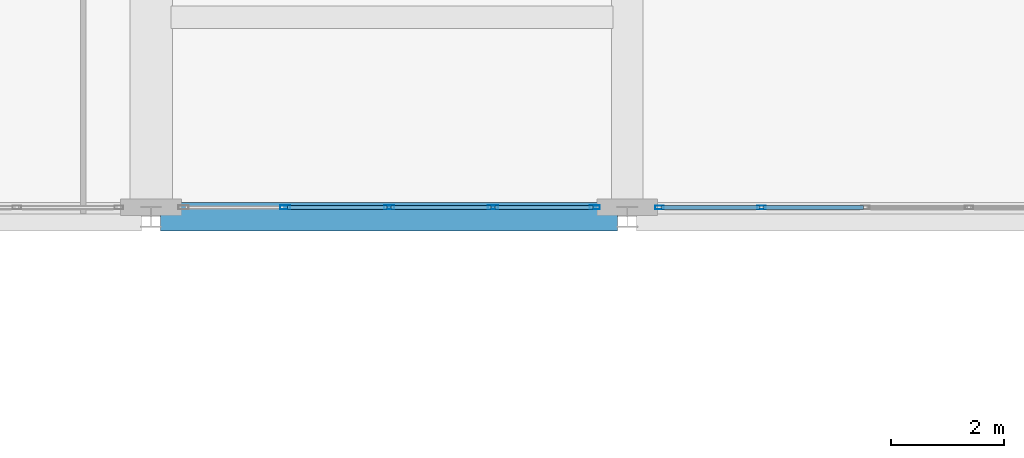
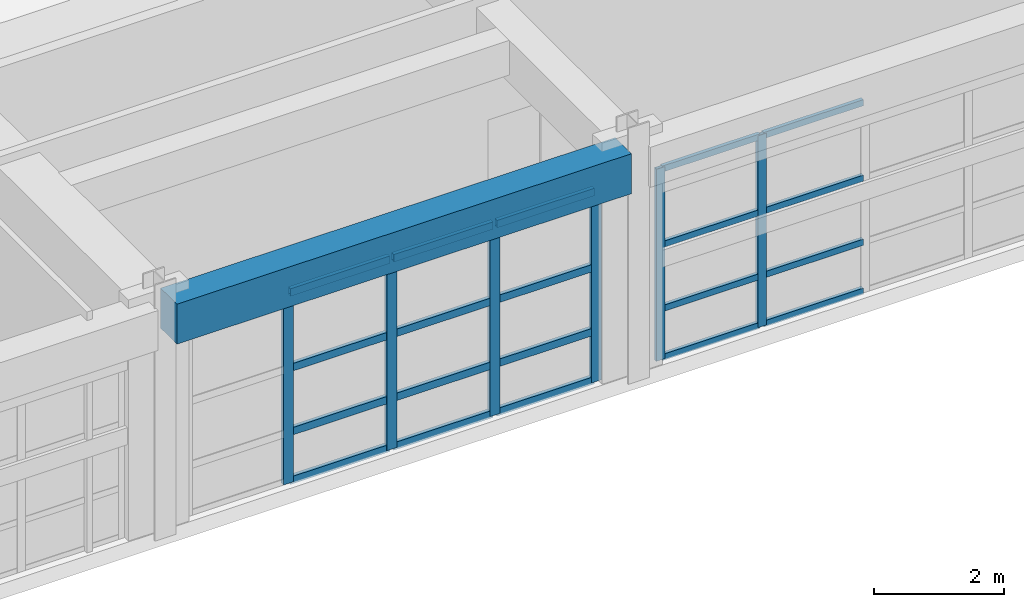
# One storey, part 74 of 123: 26 members, 1 beam, 2 elements without a shape of their own.
"""IFC4 building model written with IfcOpenShell, lengths in metres."""

from ifc_helpers import new_model, si_unit, direction, frame, origin, origin_2d, place, context, subcontext, project, spatial, rectangle, hollow_rectangle, extrude, material, layer, layer_set, material_profile, profile_set, type_object, element, aggregate, save


model = new_model("IFC4")

# Units and contexts
model_context = context("Model", 3, precision=1e-05, world=origin(), true_north=direction((0.0, 1.0)))
body_context = subcontext(model_context, "Body", "Model", "MODEL_VIEW")
ifc_project = project(units=[si_unit("LENGTHUNIT", "METRE"), si_unit("AREAUNIT", "SQUARE_METRE"), si_unit("VOLUMEUNIT", "CUBIC_METRE"), si_unit("PLANEANGLEUNIT", "RADIAN"), si_unit("MASSUNIT", "GRAM", prefix="KILO")], contexts=[model_context])

# Site, building, storey
site_placement = place(None, origin())
site = spatial("IfcSite", under=ifc_project, at=site_placement, CompositionType="ELEMENT")
building_placement = place(site_placement, origin())
building = spatial("IfcBuilding", under=site, at=building_placement, Name="Quendrovan Civic Courthouse", CompositionType="ELEMENT")
storey_placement = place(building_placement, frame((0.0, 0.0, 5.39990234375)))
storey = spatial("IfcBuildingStorey", under=building, at=storey_placement, Name="L02", CompositionType="ELEMENT", Elevation=5.39990234375)

# Beam
ifc_material_1 = material(Name="Concrete C40/50", Category="concrete")
ifc_material_profile_1 = material_profile(ifc_material_1, rectangle(XDim=0.5, YDim=0.75, at=origin_2d()), Name="RC-BM-500x750")
ifc_profile_set_1 = profile_set([ifc_material_profile_1], Name="Concrete C40/50")
beam_type = type_object("IfcBeamType", Name="BM-RC750", PredefinedType="SPANDREL", material=ifc_profile_set_1)
beam_placement = place(storey_placement, frame((126.1669921875, 87.60009765625, 3.985107421875), z_axis=(1.0, 0.0, 0.0), x_axis=(0.0, 1.0, 0.0)))
element("IfcBeam", 1, at=beam_placement, inside=storey, type_object=beam_type, Name="L02 Girder X0562", PredefinedType="SPANDREL", context=body_context, shape_type="SweptSolid", body=[
    extrude(rectangle(XDim=0.5, YDim=0.75, at=origin_2d()), origin(), (0.0, 0.0, 1.0), 8.06591796875),
])

# Curtain wall, members
ifc_material_2 = material(Name="Bronze anodised aluminium and low-E glass", Category="aluminium")
ifc_layer = layer(ifc_material_2, 0.179931640625, Name="Bronze anodised aluminium and low-E glass")
ifc_layer_set = layer_set([ifc_layer], Name="Bronze anodised aluminium and low-E glass")
curtain_wall_type = type_object("IfcCurtainWallType", Name="CW-U73x36", PredefinedType="USERDEFINED", material=ifc_layer_set)
curtain_wall_1_placement = place(storey_placement, origin())
curtain_wall_1 = element("IfcCurtainWall", 2, at=curtain_wall_1_placement, inside=storey, type_object=curtain_wall_type, Name="L02 Unitised Hurricane Curtain Wall CW-102", ObjectType="UNITISED CURTAIN WALL", PredefinedType="USERDEFINED")
ifc_material_3 = material(Name="Bronze anodised aluminium", Category="aluminium")
ifc_material_profile_2 = material_profile(ifc_material_3, hollow_rectangle(XDim=0.070068359375, YDim=0.179931640625, WallThickness=0.00390625, at=origin_2d()), Name="CW-MULL-70x180")
ifc_profile_set_2 = profile_set([ifc_material_profile_2], Name="Bronze anodised aluminium")
member_type_1 = type_object("IfcMemberType", Name="CW-MULL-A", PredefinedType="MULLION", material=ifc_profile_set_2)
member_1_placement = place(storey_placement, frame((133.827880859375, 87.764892578125, 0.0), z_axis=(0.0, 0.0, 1.0), x_axis=(0.0, -1.0, 0.0)))
member_1 = element("IfcMember", 3, at=member_1_placement, type_object=member_type_1, Name="CW-102 mullion 1", PredefinedType="MULLION", context=body_context, shape_type="SweptSolid", body=[
    extrude(hollow_rectangle(XDim=0.070068359375, YDim=0.179931640625, WallThickness=0.00390625, at=origin_2d()), origin(), (0.0, 0.0, 1.0), 3.60009765625),
])
member_2_placement = place(storey_placement, frame((132.031494140625, 87.764892578125, 0.0), z_axis=(0.0, 0.0, 1.0), x_axis=(0.0, -1.0, 0.0)))
member_2 = element("IfcMember", 4, at=member_2_placement, type_object=member_type_1, Name="CW-102 mullion 2", PredefinedType="MULLION", context=body_context, shape_type="SweptSolid", body=[
    extrude(hollow_rectangle(XDim=0.070068359375, YDim=0.179931640625, WallThickness=0.00390625, at=origin_2d()), origin(), (0.0, 0.0, 1.0), 3.60009765625),
])
member_3_placement = place(storey_placement, frame((130.199951171875, 87.764892578125, 0.0), z_axis=(0.0, 0.0, 1.0), x_axis=(0.0, -1.0, 0.0)))
member_3 = element("IfcMember", 5, at=member_3_placement, type_object=member_type_1, Name="CW-102 mullion 3", PredefinedType="MULLION", context=body_context, shape_type="SweptSolid", body=[
    extrude(hollow_rectangle(XDim=0.070068359375, YDim=0.179931640625, WallThickness=0.00390625, at=origin_2d()), origin(), (0.0, 0.0, 1.0), 3.60009765625),
])
member_4_placement = place(storey_placement, frame((128.368408203125, 87.764892578125, 0.0), z_axis=(0.0, 0.0, 1.0), x_axis=(0.0, -1.0, 0.0)))
member_4 = element("IfcMember", 6, at=member_4_placement, type_object=member_type_1, Name="CW-102 mullion 4", PredefinedType="MULLION", context=body_context, shape_type="SweptSolid", body=[
    extrude(hollow_rectangle(XDim=0.070068359375, YDim=0.179931640625, WallThickness=0.00390625, at=origin_2d()), origin(), (0.0, 0.0, 1.0), 3.60009765625),
])

curtain_wall_2_placement = place(storey_placement, origin())
curtain_wall_2 = element("IfcCurtainWall", 7, at=curtain_wall_2_placement, inside=storey, type_object=curtain_wall_type, Name="L02 Unitised Hurricane Curtain Wall CW-101", ObjectType="UNITISED CURTAIN WALL", PredefinedType="USERDEFINED")
ifc_material_profile_3 = material_profile(ifc_material_3, hollow_rectangle(XDim=0.06494140625, YDim=0.14990234375, WallThickness=0.00390625, at=origin_2d()), Name="CW-MULL-65x150")
ifc_profile_set_3 = profile_set([ifc_material_profile_3], Name="Bronze anodised aluminium")
member_type_2 = type_object("IfcMemberType", Name="CW-MULL-B", PredefinedType="MULLION", material=ifc_profile_set_3)
member_5_placement = place(storey_placement, frame((136.7685546875, 87.764892578125, 0.0), z_axis=(0.0, 0.0, 1.0), x_axis=(0.0, -1.0, 0.0)))
member_5 = element("IfcMember", 8, at=member_5_placement, type_object=member_type_2, Name="CW-101 mullion 4", PredefinedType="MULLION", context=body_context, shape_type="SweptSolid", body=[
    extrude(hollow_rectangle(XDim=0.06494140625, YDim=0.14990234375, WallThickness=0.00390625, at=origin_2d()), origin(), (0.0, 0.0, 1.0), 3.60009765625),
])
member_6_placement = place(storey_placement, frame((134.969482421875, 87.764892578125, 0.0), z_axis=(0.0, 0.0, 1.0), x_axis=(0.0, -1.0, 0.0)))
member_6 = element("IfcMember", 9, at=member_6_placement, type_object=member_type_2, Name="CW-101 mullion 5", PredefinedType="MULLION", context=body_context, shape_type="SweptSolid", body=[
    extrude(hollow_rectangle(XDim=0.06494140625, YDim=0.14990234375, WallThickness=0.00390625, at=origin_2d()), origin(), (0.0, 0.0, 1.0), 3.60009765625),
])

# Member
ifc_material_profile_4 = material_profile(ifc_material_3, hollow_rectangle(XDim=0.070068359375, YDim=0.139892578125, WallThickness=0.00390625, at=origin_2d()), Name="CW-TRAN-70x140")
ifc_profile_set_4 = profile_set([ifc_material_profile_4], Name="Bronze anodised aluminium")
member_type_3 = type_object("IfcMemberType", Name="CW-TRAN-A", PredefinedType="USERDEFINED", material=ifc_profile_set_4)
member_7_placement = place(storey_placement, frame((133.79296875, 87.764892578125, 0.03515625), z_axis=(-1.0, 0.0, 0.0), x_axis=(0.0, -1.0, 0.0)))
member_7 = element("IfcMember", 10, at=member_7_placement, type_object=member_type_3, Name="CW-102 transom 1.1", ObjectType="TRANSOM", PredefinedType="USERDEFINED", context=body_context, shape_type="SweptSolid", body=[
    extrude(hollow_rectangle(XDim=0.070068359375, YDim=0.139892578125, WallThickness=0.00390625, at=origin_2d()), origin(), (0.0, 0.0, 1.0), 1.7265625),
])

member_8_placement = place(storey_placement, frame((133.79296875, 87.764892578125, 0.9501953125), z_axis=(-1.0, 0.0, 0.0), x_axis=(0.0, -1.0, 0.0)))
member_8 = element("IfcMember", 11, at=member_8_placement, type_object=member_type_3, Name="CW-102 transom 1.2", ObjectType="TRANSOM", PredefinedType="USERDEFINED", context=body_context, shape_type="SweptSolid", body=[
    extrude(hollow_rectangle(XDim=0.070068359375, YDim=0.139892578125, WallThickness=0.00390625, at=origin_2d()), origin(), (0.0, 0.0, 1.0), 1.7265625),
])

member_9_placement = place(storey_placement, frame((133.79296875, 87.764892578125, 2.150146484375), z_axis=(-1.0, 0.0, 0.0), x_axis=(0.0, -1.0, 0.0)))
member_9 = element("IfcMember", 12, at=member_9_placement, type_object=member_type_3, Name="CW-102 transom 1.3", ObjectType="TRANSOM", PredefinedType="USERDEFINED", context=body_context, shape_type="SweptSolid", body=[
    extrude(hollow_rectangle(XDim=0.070068359375, YDim=0.139892578125, WallThickness=0.00390625, at=origin_2d()), origin(), (0.0, 0.0, 1.0), 1.7265625),
])

member_10_placement = place(storey_placement, frame((133.79296875, 87.764892578125, 3.565185546875), z_axis=(-1.0, 0.0, 0.0), x_axis=(0.0, -1.0, 0.0)))
member_10 = element("IfcMember", 13, at=member_10_placement, type_object=member_type_3, Name="CW-102 transom 1.4", ObjectType="TRANSOM", PredefinedType="USERDEFINED", context=body_context, shape_type="SweptSolid", body=[
    extrude(hollow_rectangle(XDim=0.070068359375, YDim=0.139892578125, WallThickness=0.00390625, at=origin_2d()), origin(), (0.0, 0.0, 1.0), 1.7265625),
])

member_11_placement = place(storey_placement, frame((131.99658203125, 87.764892578125, 0.03515625), z_axis=(-1.0, 0.0, 0.0), x_axis=(0.0, -1.0, 0.0)))
member_11 = element("IfcMember", 14, at=member_11_placement, type_object=member_type_3, Name="CW-102 transom 2.1", ObjectType="TRANSOM", PredefinedType="USERDEFINED", context=body_context, shape_type="SweptSolid", body=[
    extrude(hollow_rectangle(XDim=0.070068359375, YDim=0.139892578125, WallThickness=0.00390625, at=origin_2d()), origin(), (0.0, 0.0, 1.0), 1.761474609375),
])

member_12_placement = place(storey_placement, frame((131.99658203125, 87.764892578125, 0.9501953125), z_axis=(-1.0, 0.0, 0.0), x_axis=(0.0, -1.0, 0.0)))
member_12 = element("IfcMember", 15, at=member_12_placement, type_object=member_type_3, Name="CW-102 transom 2.2", ObjectType="TRANSOM", PredefinedType="USERDEFINED", context=body_context, shape_type="SweptSolid", body=[
    extrude(hollow_rectangle(XDim=0.070068359375, YDim=0.139892578125, WallThickness=0.00390625, at=origin_2d()), origin(), (0.0, 0.0, 1.0), 1.761474609375),
])

member_13_placement = place(storey_placement, frame((131.99658203125, 87.764892578125, 2.150146484375), z_axis=(-1.0, 0.0, 0.0), x_axis=(0.0, -1.0, 0.0)))
member_13 = element("IfcMember", 16, at=member_13_placement, type_object=member_type_3, Name="CW-102 transom 2.3", ObjectType="TRANSOM", PredefinedType="USERDEFINED", context=body_context, shape_type="SweptSolid", body=[
    extrude(hollow_rectangle(XDim=0.070068359375, YDim=0.139892578125, WallThickness=0.00390625, at=origin_2d()), origin(), (0.0, 0.0, 1.0), 1.761474609375),
])

member_14_placement = place(storey_placement, frame((131.99658203125, 87.764892578125, 3.565185546875), z_axis=(-1.0, 0.0, 0.0), x_axis=(0.0, -1.0, 0.0)))
member_14 = element("IfcMember", 17, at=member_14_placement, type_object=member_type_3, Name="CW-102 transom 2.4", ObjectType="TRANSOM", PredefinedType="USERDEFINED", context=body_context, shape_type="SweptSolid", body=[
    extrude(hollow_rectangle(XDim=0.070068359375, YDim=0.139892578125, WallThickness=0.00390625, at=origin_2d()), origin(), (0.0, 0.0, 1.0), 1.761474609375),
])

member_15_placement = place(storey_placement, frame((130.1650390625, 87.764892578125, 0.03515625), z_axis=(-1.0, 0.0, 0.0), x_axis=(0.0, -1.0, 0.0)))
member_15 = element("IfcMember", 18, at=member_15_placement, type_object=member_type_3, Name="CW-102 transom 3.1", ObjectType="TRANSOM", PredefinedType="USERDEFINED", context=body_context, shape_type="SweptSolid", body=[
    extrude(hollow_rectangle(XDim=0.070068359375, YDim=0.139892578125, WallThickness=0.00390625, at=origin_2d()), origin(), (0.0, 0.0, 1.0), 1.761474609375),
])

member_16_placement = place(storey_placement, frame((130.1650390625, 87.764892578125, 0.9501953125), z_axis=(-1.0, 0.0, 0.0), x_axis=(0.0, -1.0, 0.0)))
member_16 = element("IfcMember", 19, at=member_16_placement, type_object=member_type_3, Name="CW-102 transom 3.2", ObjectType="TRANSOM", PredefinedType="USERDEFINED", context=body_context, shape_type="SweptSolid", body=[
    extrude(hollow_rectangle(XDim=0.070068359375, YDim=0.139892578125, WallThickness=0.00390625, at=origin_2d()), origin(), (0.0, 0.0, 1.0), 1.761474609375),
])

member_17_placement = place(storey_placement, frame((130.1650390625, 87.764892578125, 2.150146484375), z_axis=(-1.0, 0.0, 0.0), x_axis=(0.0, -1.0, 0.0)))
member_17 = element("IfcMember", 20, at=member_17_placement, type_object=member_type_3, Name="CW-102 transom 3.3", ObjectType="TRANSOM", PredefinedType="USERDEFINED", context=body_context, shape_type="SweptSolid", body=[
    extrude(hollow_rectangle(XDim=0.070068359375, YDim=0.139892578125, WallThickness=0.00390625, at=origin_2d()), origin(), (0.0, 0.0, 1.0), 1.761474609375),
])

member_18_placement = place(storey_placement, frame((130.1650390625, 87.764892578125, 3.565185546875), z_axis=(-1.0, 0.0, 0.0), x_axis=(0.0, -1.0, 0.0)))
member_18 = element("IfcMember", 21, at=member_18_placement, type_object=member_type_3, Name="CW-102 transom 3.4", ObjectType="TRANSOM", PredefinedType="USERDEFINED", context=body_context, shape_type="SweptSolid", body=[
    extrude(hollow_rectangle(XDim=0.070068359375, YDim=0.139892578125, WallThickness=0.00390625, at=origin_2d()), origin(), (0.0, 0.0, 1.0), 1.761474609375),
])

aggregate(curtain_wall_1, [member_1, member_2, member_3, member_4, member_7, member_8, member_9, member_10, member_11, member_12, member_13, member_14, member_15, member_16, member_17, member_18])

ifc_material_profile_5 = material_profile(ifc_material_3, hollow_rectangle(XDim=0.06494140625, YDim=0.114990234375, WallThickness=0.00390625, at=origin_2d()), Name="CW-TRAN-65x115")
ifc_profile_set_5 = profile_set([ifc_material_profile_5], Name="Bronze anodised aluminium")
member_type_4 = type_object("IfcMemberType", Name="CW-TRAN-B", PredefinedType="USERDEFINED", material=ifc_profile_set_5)
member_19_placement = place(storey_placement, frame((138.5673828125, 87.764892578125, 0.03271484375), z_axis=(-1.0, 0.0, 0.0), x_axis=(0.0, -1.0, 0.0)))
member_19 = element("IfcMember", 22, at=member_19_placement, type_object=member_type_4, Name="CW-101 transom 3.1", ObjectType="TRANSOM", PredefinedType="USERDEFINED", context=body_context, shape_type="SweptSolid", body=[
    extrude(hollow_rectangle(XDim=0.06494140625, YDim=0.114990234375, WallThickness=0.00390625, at=origin_2d()), origin(), (0.0, 0.0, 1.0), 1.766357421875),
])

member_20_placement = place(storey_placement, frame((138.5673828125, 87.764892578125, 0.9501953125), z_axis=(-1.0, 0.0, 0.0), x_axis=(0.0, -1.0, 0.0)))
member_20 = element("IfcMember", 23, at=member_20_placement, type_object=member_type_4, Name="CW-101 transom 3.2", ObjectType="TRANSOM", PredefinedType="USERDEFINED", context=body_context, shape_type="SweptSolid", body=[
    extrude(hollow_rectangle(XDim=0.06494140625, YDim=0.114990234375, WallThickness=0.00390625, at=origin_2d()), origin(), (0.0, 0.0, 1.0), 1.766357421875),
])

member_21_placement = place(storey_placement, frame((138.5673828125, 87.764892578125, 2.150146484375), z_axis=(-1.0, 0.0, 0.0), x_axis=(0.0, -1.0, 0.0)))
member_21 = element("IfcMember", 24, at=member_21_placement, type_object=member_type_4, Name="CW-101 transom 3.3", ObjectType="TRANSOM", PredefinedType="USERDEFINED", context=body_context, shape_type="SweptSolid", body=[
    extrude(hollow_rectangle(XDim=0.06494140625, YDim=0.114990234375, WallThickness=0.00390625, at=origin_2d()), origin(), (0.0, 0.0, 1.0), 1.766357421875),
])

member_22_placement = place(storey_placement, frame((138.5673828125, 87.764892578125, 3.567626953125), z_axis=(-1.0, 0.0, 0.0), x_axis=(0.0, -1.0, 0.0)))
member_22 = element("IfcMember", 25, at=member_22_placement, type_object=member_type_4, Name="CW-101 transom 3.4", ObjectType="TRANSOM", PredefinedType="USERDEFINED", context=body_context, shape_type="SweptSolid", body=[
    extrude(hollow_rectangle(XDim=0.06494140625, YDim=0.114990234375, WallThickness=0.00390625, at=origin_2d()), origin(), (0.0, 0.0, 1.0), 1.766357421875),
])

member_23_placement = place(storey_placement, frame((136.736083984375, 87.764892578125, 0.03271484375), z_axis=(-1.0, 0.0, 0.0), x_axis=(0.0, -1.0, 0.0)))
member_23 = element("IfcMember", 26, at=member_23_placement, type_object=member_type_4, Name="CW-101 transom 4.1", ObjectType="TRANSOM", PredefinedType="USERDEFINED", context=body_context, shape_type="SweptSolid", body=[
    extrude(hollow_rectangle(XDim=0.06494140625, YDim=0.114990234375, WallThickness=0.00390625, at=origin_2d()), origin(), (0.0, 0.0, 1.0), 1.734130859375),
])

member_24_placement = place(storey_placement, frame((136.736083984375, 87.764892578125, 0.9501953125), z_axis=(-1.0, 0.0, 0.0), x_axis=(0.0, -1.0, 0.0)))
member_24 = element("IfcMember", 27, at=member_24_placement, type_object=member_type_4, Name="CW-101 transom 4.2", ObjectType="TRANSOM", PredefinedType="USERDEFINED", context=body_context, shape_type="SweptSolid", body=[
    extrude(hollow_rectangle(XDim=0.06494140625, YDim=0.114990234375, WallThickness=0.00390625, at=origin_2d()), origin(), (0.0, 0.0, 1.0), 1.734130859375),
])

member_25_placement = place(storey_placement, frame((136.736083984375, 87.764892578125, 2.150146484375), z_axis=(-1.0, 0.0, 0.0), x_axis=(0.0, -1.0, 0.0)))
member_25 = element("IfcMember", 28, at=member_25_placement, type_object=member_type_4, Name="CW-101 transom 4.3", ObjectType="TRANSOM", PredefinedType="USERDEFINED", context=body_context, shape_type="SweptSolid", body=[
    extrude(hollow_rectangle(XDim=0.06494140625, YDim=0.114990234375, WallThickness=0.00390625, at=origin_2d()), origin(), (0.0, 0.0, 1.0), 1.734130859375),
])

member_26_placement = place(storey_placement, frame((136.736083984375, 87.764892578125, 3.567626953125), z_axis=(-1.0, 0.0, 0.0), x_axis=(0.0, -1.0, 0.0)))
member_26 = element("IfcMember", 29, at=member_26_placement, type_object=member_type_4, Name="CW-101 transom 4.4", ObjectType="TRANSOM", PredefinedType="USERDEFINED", context=body_context, shape_type="SweptSolid", body=[
    extrude(hollow_rectangle(XDim=0.06494140625, YDim=0.114990234375, WallThickness=0.00390625, at=origin_2d()), origin(), (0.0, 0.0, 1.0), 1.734130859375),
])

aggregate(curtain_wall_2, [member_5, member_6, member_19, member_20, member_21, member_22, member_23, member_24, member_25, member_26])

save(model, "model.ifc")
